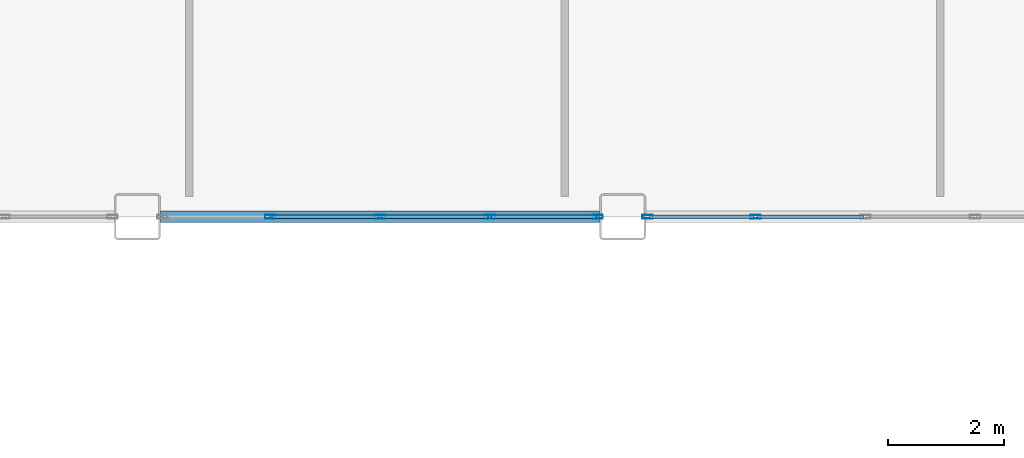
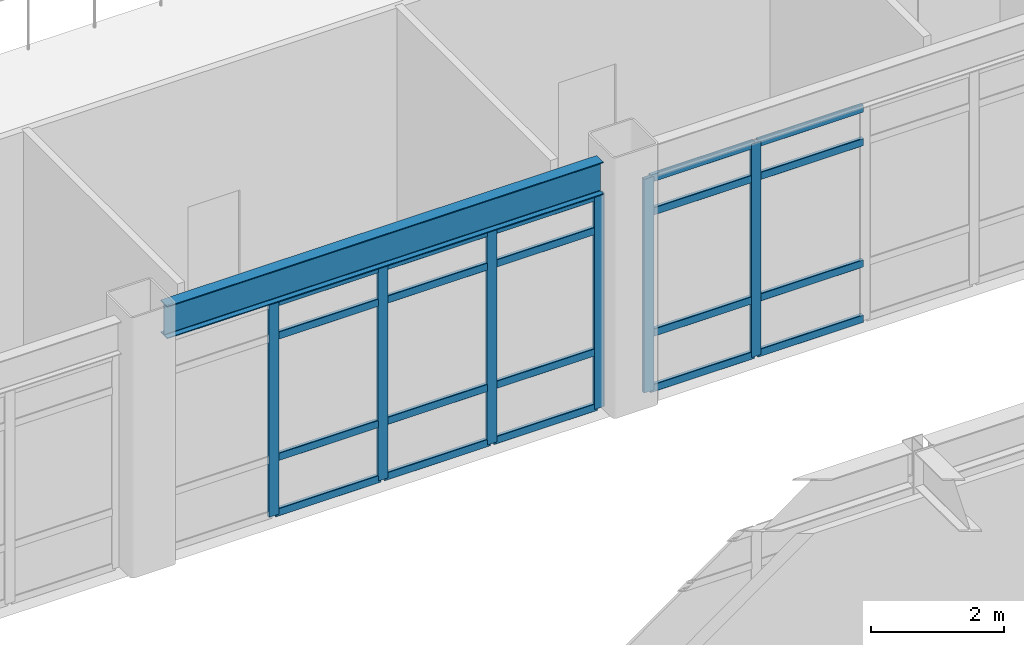
# One storey, part 33 of 154: 26 members, 1 beam, 2 elements without a shape of their own.
"""IFC4 building model written with IfcOpenShell, lengths in metres."""

from ifc_helpers import new_model, si_unit, direction, frame, origin, origin_2d, place, context, subcontext, project, spatial, hollow_rectangle, i_section, extrude, material, layer, layer_set, material_profile, profile_set, type_object, element, aggregate, save


model = new_model("IFC4")

# Units and contexts
model_context = context("Model", 3, precision=1e-05, world=origin(), true_north=direction((0.0, 1.0)))
body_context = subcontext(model_context, "Body", "Model", "MODEL_VIEW")
ifc_project = project(units=[si_unit("LENGTHUNIT", "METRE"), si_unit("AREAUNIT", "SQUARE_METRE"), si_unit("VOLUMEUNIT", "CUBIC_METRE"), si_unit("PLANEANGLEUNIT", "RADIAN"), si_unit("MASSUNIT", "GRAM", prefix="KILO")], contexts=[model_context])

# Site, building, storey
site_placement = place(None, origin())
site = spatial("IfcSite", under=ifc_project, at=site_placement, CompositionType="ELEMENT")
building_placement = place(site_placement, origin())
building = spatial("IfcBuilding", under=site, at=building_placement, Name="Kazehara Bluff Congress Hotel", CompositionType="ELEMENT")
storey_placement = place(building_placement, frame((0.0, 0.0, 10.199951171875)))
storey = spatial("IfcBuildingStorey", under=building, at=storey_placement, Name="L02", CompositionType="ELEMENT", Elevation=10.199951171875)

# Curtain wall, members
ifc_material_1 = material(Name="Anodised aluminium", Category="aluminium")
ifc_layer = layer(ifc_material_1, 0.159912109375)
ifc_layer_set = layer_set([ifc_layer], Name="Anodised aluminium")
curtain_wall_type = type_object("IfcCurtainWallType", Name="TP-CW-15", PredefinedType="NOTDEFINED", material=ifc_layer_set)
curtain_wall_1_placement = place(storey_placement, origin())
curtain_wall_1 = element("IfcCurtainWall", 1, at=curtain_wall_1_placement, inside=storey, type_object=curtain_wall_type, Name="L02 curtain wall CW-15 CW-V1-L02-Y4845-3400", PredefinedType="NOTDEFINED")
ifc_material_2 = material(Name="Anodised aluminium", Category="aluminium")
ifc_material_profile_1 = material_profile(ifc_material_2, hollow_rectangle(XDim=0.06494140625, YDim=0.179931640625, WallThickness=0.00390625, InnerFilletRadius=0.00390625, OuterFilletRadius=0.008056640625, at=origin_2d()))
ifc_profile_set_1 = profile_set([ifc_material_profile_1], Name="Anodised aluminium")
member_type_1 = type_object("IfcMemberType", Name="TP-CWM-02", PredefinedType="MULLION", material=ifc_profile_set_1)
member_1_placement = place(storey_placement, frame((35.89990234375, 48.449951171875, 0.0), z_axis=(0.0, 0.0, 1.0), x_axis=(0.0, 1.0, 0.0)))
member_1 = element("IfcMember", 2, at=member_1_placement, type_object=member_type_1, Name="CW-15 mullion 2", PredefinedType="MULLION", context=body_context, shape_type="SweptSolid", body=[
    extrude(hollow_rectangle(XDim=0.06494140625, YDim=0.179931640625, WallThickness=0.00390625, InnerFilletRadius=0.00390625, OuterFilletRadius=0.008056640625, at=origin_2d()), origin(), (0.0, 0.0, 1.0), 3.93505859375),
])
member_2_placement = place(storey_placement, frame((37.800048828125, 48.449951171875, 0.0), z_axis=(0.0, 0.0, 1.0), x_axis=(0.0, 1.0, 0.0)))
member_2 = element("IfcMember", 3, at=member_2_placement, type_object=member_type_1, Name="CW-15 mullion 3", PredefinedType="MULLION", context=body_context, shape_type="SweptSolid", body=[
    extrude(hollow_rectangle(XDim=0.06494140625, YDim=0.179931640625, WallThickness=0.00390625, InnerFilletRadius=0.00390625, OuterFilletRadius=0.008056640625, at=origin_2d()), origin(), (0.0, 0.0, 1.0), 3.93505859375),
])
member_3_placement = place(storey_placement, frame((39.699951171875, 48.449951171875, 0.0), z_axis=(0.0, 0.0, 1.0), x_axis=(0.0, 1.0, 0.0)))
member_3 = element("IfcMember", 4, at=member_3_placement, type_object=member_type_1, Name="CW-15 mullion 4", PredefinedType="MULLION", context=body_context, shape_type="SweptSolid", body=[
    extrude(hollow_rectangle(XDim=0.06494140625, YDim=0.179931640625, WallThickness=0.00390625, InnerFilletRadius=0.00390625, OuterFilletRadius=0.008056640625, at=origin_2d()), origin(), (0.0, 0.0, 1.0), 3.93505859375),
])
member_4_placement = place(storey_placement, frame((41.5673828125, 48.449951171875, 0.0), z_axis=(0.0, 0.0, 1.0), x_axis=(0.0, 1.0, 0.0)))
member_4 = element("IfcMember", 5, at=member_4_placement, type_object=member_type_1, Name="CW-15 mullion 5", PredefinedType="MULLION", context=body_context, shape_type="SweptSolid", body=[
    extrude(hollow_rectangle(XDim=0.06494140625, YDim=0.179931640625, WallThickness=0.00390625, InnerFilletRadius=0.00390625, OuterFilletRadius=0.008056640625, at=origin_2d()), origin(), (0.0, 0.0, 1.0), 3.93505859375),
])

curtain_wall_2_placement = place(storey_placement, origin())
curtain_wall_2 = element("IfcCurtainWall", 6, at=curtain_wall_2_placement, inside=storey, type_object=curtain_wall_type, Name="L02 curtain wall CW-15 CW-V1-L02-Y4845-4240", PredefinedType="NOTDEFINED")
member_5_placement = place(storey_placement, frame((42.4326171875, 48.449951171875, 0.0), z_axis=(0.0, 0.0, 1.0), x_axis=(0.0, 1.0, 0.0)))
member_5 = element("IfcMember", 7, at=member_5_placement, type_object=member_type_1, Name="CW-15 mullion 1", PredefinedType="MULLION", context=body_context, shape_type="SweptSolid", body=[
    extrude(hollow_rectangle(XDim=0.06494140625, YDim=0.179931640625, WallThickness=0.00390625, InnerFilletRadius=0.00390625, OuterFilletRadius=0.008056640625, at=origin_2d()), origin(), (0.0, 0.0, 1.0), 3.93505859375),
])
member_6_placement = place(storey_placement, frame((44.300048828125, 48.449951171875, 0.0), z_axis=(0.0, 0.0, 1.0), x_axis=(0.0, 1.0, 0.0)))
member_6 = element("IfcMember", 8, at=member_6_placement, type_object=member_type_1, Name="CW-15 mullion 2", PredefinedType="MULLION", context=body_context, shape_type="SweptSolid", body=[
    extrude(hollow_rectangle(XDim=0.06494140625, YDim=0.179931640625, WallThickness=0.00390625, InnerFilletRadius=0.00390625, OuterFilletRadius=0.008056640625, at=origin_2d()), origin(), (0.0, 0.0, 1.0), 3.93505859375),
])

# Member
ifc_material_3 = material(Name="Anodised aluminium", Category="aluminium")
ifc_material_profile_2 = material_profile(ifc_material_3, hollow_rectangle(XDim=0.06494140625, YDim=0.139892578125, WallThickness=0.00390625, InnerFilletRadius=0.00390625, OuterFilletRadius=0.008056640625, at=origin_2d()))
ifc_profile_set_2 = profile_set([ifc_material_profile_2], Name="Anodised aluminium")
member_type_2 = type_object("IfcMemberType", Name="TP-CWT-02", PredefinedType="USERDEFINED", material=ifc_profile_set_2)
member_7_placement = place(storey_placement, frame((35.9326171875, 48.449951171875, 0.032470703125), z_axis=(1.0, 0.0, 0.0), x_axis=(0.0, 1.0, 0.0)))
member_7 = element("IfcMember", 9, at=member_7_placement, type_object=member_type_2, Name="CW-15 transom 2.1", ObjectType="TRANSOM", PredefinedType="USERDEFINED", context=body_context, shape_type="SweptSolid", body=[
    extrude(hollow_rectangle(XDim=0.06494140625, YDim=0.139892578125, WallThickness=0.00390625, InnerFilletRadius=0.00390625, OuterFilletRadius=0.008056640625, at=origin_2d()), origin(), (0.0, 0.0, 1.0), 1.8349609375),
])

member_8_placement = place(storey_placement, frame((35.9326171875, 48.449951171875, 1.050048828125), z_axis=(1.0, 0.0, 0.0), x_axis=(0.0, 1.0, 0.0)))
member_8 = element("IfcMember", 10, at=member_8_placement, type_object=member_type_2, Name="CW-15 transom 2.2", ObjectType="TRANSOM", PredefinedType="USERDEFINED", context=body_context, shape_type="SweptSolid", body=[
    extrude(hollow_rectangle(XDim=0.06494140625, YDim=0.139892578125, WallThickness=0.00390625, InnerFilletRadius=0.00390625, OuterFilletRadius=0.008056640625, at=origin_2d()), origin(), (0.0, 0.0, 1.0), 1.8349609375),
])

member_9_placement = place(storey_placement, frame((35.9326171875, 48.449951171875, 3.28515625), z_axis=(1.0, 0.0, 0.0), x_axis=(0.0, 1.0, 0.0)))
member_9 = element("IfcMember", 11, at=member_9_placement, type_object=member_type_2, Name="CW-15 transom 2.3", ObjectType="TRANSOM", PredefinedType="USERDEFINED", context=body_context, shape_type="SweptSolid", body=[
    extrude(hollow_rectangle(XDim=0.06494140625, YDim=0.139892578125, WallThickness=0.00390625, InnerFilletRadius=0.00390625, OuterFilletRadius=0.008056640625, at=origin_2d()), origin(), (0.0, 0.0, 1.0), 1.8349609375),
])

member_10_placement = place(storey_placement, frame((35.9326171875, 48.449951171875, 3.902587890625), z_axis=(1.0, 0.0, 0.0), x_axis=(0.0, 1.0, 0.0)))
member_10 = element("IfcMember", 12, at=member_10_placement, type_object=member_type_2, Name="CW-15 transom 2.4", ObjectType="TRANSOM", PredefinedType="USERDEFINED", context=body_context, shape_type="SweptSolid", body=[
    extrude(hollow_rectangle(XDim=0.06494140625, YDim=0.139892578125, WallThickness=0.00390625, InnerFilletRadius=0.00390625, OuterFilletRadius=0.008056640625, at=origin_2d()), origin(), (0.0, 0.0, 1.0), 1.8349609375),
])

member_11_placement = place(storey_placement, frame((37.83251953125, 48.449951171875, 0.032470703125), z_axis=(1.0, 0.0, 0.0), x_axis=(0.0, 1.0, 0.0)))
member_11 = element("IfcMember", 13, at=member_11_placement, type_object=member_type_2, Name="CW-15 transom 3.1", ObjectType="TRANSOM", PredefinedType="USERDEFINED", context=body_context, shape_type="SweptSolid", body=[
    extrude(hollow_rectangle(XDim=0.06494140625, YDim=0.139892578125, WallThickness=0.00390625, InnerFilletRadius=0.00390625, OuterFilletRadius=0.008056640625, at=origin_2d()), origin(), (0.0, 0.0, 1.0), 1.8349609375),
])

member_12_placement = place(storey_placement, frame((37.83251953125, 48.449951171875, 1.050048828125), z_axis=(1.0, 0.0, 0.0), x_axis=(0.0, 1.0, 0.0)))
member_12 = element("IfcMember", 14, at=member_12_placement, type_object=member_type_2, Name="CW-15 transom 3.2", ObjectType="TRANSOM", PredefinedType="USERDEFINED", context=body_context, shape_type="SweptSolid", body=[
    extrude(hollow_rectangle(XDim=0.06494140625, YDim=0.139892578125, WallThickness=0.00390625, InnerFilletRadius=0.00390625, OuterFilletRadius=0.008056640625, at=origin_2d()), origin(), (0.0, 0.0, 1.0), 1.8349609375),
])

member_13_placement = place(storey_placement, frame((37.83251953125, 48.449951171875, 3.28515625), z_axis=(1.0, 0.0, 0.0), x_axis=(0.0, 1.0, 0.0)))
member_13 = element("IfcMember", 15, at=member_13_placement, type_object=member_type_2, Name="CW-15 transom 3.3", ObjectType="TRANSOM", PredefinedType="USERDEFINED", context=body_context, shape_type="SweptSolid", body=[
    extrude(hollow_rectangle(XDim=0.06494140625, YDim=0.139892578125, WallThickness=0.00390625, InnerFilletRadius=0.00390625, OuterFilletRadius=0.008056640625, at=origin_2d()), origin(), (0.0, 0.0, 1.0), 1.8349609375),
])

member_14_placement = place(storey_placement, frame((37.83251953125, 48.449951171875, 3.902587890625), z_axis=(1.0, 0.0, 0.0), x_axis=(0.0, 1.0, 0.0)))
member_14 = element("IfcMember", 16, at=member_14_placement, type_object=member_type_2, Name="CW-15 transom 3.4", ObjectType="TRANSOM", PredefinedType="USERDEFINED", context=body_context, shape_type="SweptSolid", body=[
    extrude(hollow_rectangle(XDim=0.06494140625, YDim=0.139892578125, WallThickness=0.00390625, InnerFilletRadius=0.00390625, OuterFilletRadius=0.008056640625, at=origin_2d()), origin(), (0.0, 0.0, 1.0), 1.8349609375),
])

member_15_placement = place(storey_placement, frame((39.732421875, 48.449951171875, 0.032470703125), z_axis=(1.0, 0.0, 0.0), x_axis=(0.0, 1.0, 0.0)))
member_15 = element("IfcMember", 17, at=member_15_placement, type_object=member_type_2, Name="CW-15 transom 4.1", ObjectType="TRANSOM", PredefinedType="USERDEFINED", context=body_context, shape_type="SweptSolid", body=[
    extrude(hollow_rectangle(XDim=0.06494140625, YDim=0.139892578125, WallThickness=0.00390625, InnerFilletRadius=0.00390625, OuterFilletRadius=0.008056640625, at=origin_2d()), origin(), (0.0, 0.0, 1.0), 1.802490234375),
])

member_16_placement = place(storey_placement, frame((39.732421875, 48.449951171875, 1.050048828125), z_axis=(1.0, 0.0, 0.0), x_axis=(0.0, 1.0, 0.0)))
member_16 = element("IfcMember", 18, at=member_16_placement, type_object=member_type_2, Name="CW-15 transom 4.2", ObjectType="TRANSOM", PredefinedType="USERDEFINED", context=body_context, shape_type="SweptSolid", body=[
    extrude(hollow_rectangle(XDim=0.06494140625, YDim=0.139892578125, WallThickness=0.00390625, InnerFilletRadius=0.00390625, OuterFilletRadius=0.008056640625, at=origin_2d()), origin(), (0.0, 0.0, 1.0), 1.802490234375),
])

member_17_placement = place(storey_placement, frame((39.732421875, 48.449951171875, 3.28515625), z_axis=(1.0, 0.0, 0.0), x_axis=(0.0, 1.0, 0.0)))
member_17 = element("IfcMember", 19, at=member_17_placement, type_object=member_type_2, Name="CW-15 transom 4.3", ObjectType="TRANSOM", PredefinedType="USERDEFINED", context=body_context, shape_type="SweptSolid", body=[
    extrude(hollow_rectangle(XDim=0.06494140625, YDim=0.139892578125, WallThickness=0.00390625, InnerFilletRadius=0.00390625, OuterFilletRadius=0.008056640625, at=origin_2d()), origin(), (0.0, 0.0, 1.0), 1.802490234375),
])

member_18_placement = place(storey_placement, frame((39.732421875, 48.449951171875, 3.902587890625), z_axis=(1.0, 0.0, 0.0), x_axis=(0.0, 1.0, 0.0)))
member_18 = element("IfcMember", 20, at=member_18_placement, type_object=member_type_2, Name="CW-15 transom 4.4", ObjectType="TRANSOM", PredefinedType="USERDEFINED", context=body_context, shape_type="SweptSolid", body=[
    extrude(hollow_rectangle(XDim=0.06494140625, YDim=0.139892578125, WallThickness=0.00390625, InnerFilletRadius=0.00390625, OuterFilletRadius=0.008056640625, at=origin_2d()), origin(), (0.0, 0.0, 1.0), 1.802490234375),
])

aggregate(curtain_wall_1, [member_1, member_2, member_3, member_4, member_7, member_8, member_9, member_10, member_11, member_12, member_13, member_14, member_15, member_16, member_17, member_18])

member_19_placement = place(storey_placement, frame((42.465087890625, 48.449951171875, 0.032470703125), z_axis=(1.0, 0.0, 0.0), x_axis=(0.0, 1.0, 0.0)))
member_19 = element("IfcMember", 21, at=member_19_placement, type_object=member_type_2, Name="CW-15 transom 1.1", ObjectType="TRANSOM", PredefinedType="USERDEFINED", context=body_context, shape_type="SweptSolid", body=[
    extrude(hollow_rectangle(XDim=0.06494140625, YDim=0.139892578125, WallThickness=0.00390625, InnerFilletRadius=0.00390625, OuterFilletRadius=0.008056640625, at=origin_2d()), origin(), (0.0, 0.0, 1.0), 1.802490234375),
])

member_20_placement = place(storey_placement, frame((42.465087890625, 48.449951171875, 1.050048828125), z_axis=(1.0, 0.0, 0.0), x_axis=(0.0, 1.0, 0.0)))
member_20 = element("IfcMember", 22, at=member_20_placement, type_object=member_type_2, Name="CW-15 transom 1.2", ObjectType="TRANSOM", PredefinedType="USERDEFINED", context=body_context, shape_type="SweptSolid", body=[
    extrude(hollow_rectangle(XDim=0.06494140625, YDim=0.139892578125, WallThickness=0.00390625, InnerFilletRadius=0.00390625, OuterFilletRadius=0.008056640625, at=origin_2d()), origin(), (0.0, 0.0, 1.0), 1.802490234375),
])

member_21_placement = place(storey_placement, frame((42.465087890625, 48.449951171875, 3.28515625), z_axis=(1.0, 0.0, 0.0), x_axis=(0.0, 1.0, 0.0)))
member_21 = element("IfcMember", 23, at=member_21_placement, type_object=member_type_2, Name="CW-15 transom 1.3", ObjectType="TRANSOM", PredefinedType="USERDEFINED", context=body_context, shape_type="SweptSolid", body=[
    extrude(hollow_rectangle(XDim=0.06494140625, YDim=0.139892578125, WallThickness=0.00390625, InnerFilletRadius=0.00390625, OuterFilletRadius=0.008056640625, at=origin_2d()), origin(), (0.0, 0.0, 1.0), 1.802490234375),
])

member_22_placement = place(storey_placement, frame((42.465087890625, 48.449951171875, 3.902587890625), z_axis=(1.0, 0.0, 0.0), x_axis=(0.0, 1.0, 0.0)))
member_22 = element("IfcMember", 24, at=member_22_placement, type_object=member_type_2, Name="CW-15 transom 1.4", ObjectType="TRANSOM", PredefinedType="USERDEFINED", context=body_context, shape_type="SweptSolid", body=[
    extrude(hollow_rectangle(XDim=0.06494140625, YDim=0.139892578125, WallThickness=0.00390625, InnerFilletRadius=0.00390625, OuterFilletRadius=0.008056640625, at=origin_2d()), origin(), (0.0, 0.0, 1.0), 1.802490234375),
])

member_23_placement = place(storey_placement, frame((44.33251953125, 48.449951171875, 0.032470703125), z_axis=(1.0, 0.0, 0.0), x_axis=(0.0, 1.0, 0.0)))
member_23 = element("IfcMember", 25, at=member_23_placement, type_object=member_type_2, Name="CW-15 transom 2.1", ObjectType="TRANSOM", PredefinedType="USERDEFINED", context=body_context, shape_type="SweptSolid", body=[
    extrude(hollow_rectangle(XDim=0.06494140625, YDim=0.139892578125, WallThickness=0.00390625, InnerFilletRadius=0.00390625, OuterFilletRadius=0.008056640625, at=origin_2d()), origin(), (0.0, 0.0, 1.0), 1.8349609375),
])

member_24_placement = place(storey_placement, frame((44.33251953125, 48.449951171875, 1.050048828125), z_axis=(1.0, 0.0, 0.0), x_axis=(0.0, 1.0, 0.0)))
member_24 = element("IfcMember", 26, at=member_24_placement, type_object=member_type_2, Name="CW-15 transom 2.2", ObjectType="TRANSOM", PredefinedType="USERDEFINED", context=body_context, shape_type="SweptSolid", body=[
    extrude(hollow_rectangle(XDim=0.06494140625, YDim=0.139892578125, WallThickness=0.00390625, InnerFilletRadius=0.00390625, OuterFilletRadius=0.008056640625, at=origin_2d()), origin(), (0.0, 0.0, 1.0), 1.8349609375),
])

member_25_placement = place(storey_placement, frame((44.33251953125, 48.449951171875, 3.28515625), z_axis=(1.0, 0.0, 0.0), x_axis=(0.0, 1.0, 0.0)))
member_25 = element("IfcMember", 27, at=member_25_placement, type_object=member_type_2, Name="CW-15 transom 2.3", ObjectType="TRANSOM", PredefinedType="USERDEFINED", context=body_context, shape_type="SweptSolid", body=[
    extrude(hollow_rectangle(XDim=0.06494140625, YDim=0.139892578125, WallThickness=0.00390625, InnerFilletRadius=0.00390625, OuterFilletRadius=0.008056640625, at=origin_2d()), origin(), (0.0, 0.0, 1.0), 1.8349609375),
])

member_26_placement = place(storey_placement, frame((44.33251953125, 48.449951171875, 3.902587890625), z_axis=(1.0, 0.0, 0.0), x_axis=(0.0, 1.0, 0.0)))
member_26 = element("IfcMember", 28, at=member_26_placement, type_object=member_type_2, Name="CW-15 transom 2.4", ObjectType="TRANSOM", PredefinedType="USERDEFINED", context=body_context, shape_type="SweptSolid", body=[
    extrude(hollow_rectangle(XDim=0.06494140625, YDim=0.139892578125, WallThickness=0.00390625, InnerFilletRadius=0.00390625, OuterFilletRadius=0.008056640625, at=origin_2d()), origin(), (0.0, 0.0, 1.0), 1.8349609375),
])

aggregate(curtain_wall_2, [member_5, member_6, member_19, member_20, member_21, member_22, member_23, member_24, member_25, member_26])

# Beam
ifc_material_4 = material(Name="Steel SN490B", Category="steel")
ifc_material_profile_3 = material_profile(ifc_material_4, i_section(OverallWidth=0.199951171875, OverallDepth=0.60009765625, WebThickness=0.010986328125, FlangeThickness=0.01708984375, FilletRadius=0.012939453125, at=origin_2d()))
ifc_profile_set_3 = profile_set([ifc_material_profile_3], Name="Steel SN490B")
beam_type = type_object("IfcBeamType", Name="TP-SP-02", PredefinedType="SPANDREL", material=ifc_profile_set_3)
beam_placement = place(storey_placement, frame((34.0, 48.449951171875, 4.260009765625), z_axis=(1.0, 0.0, 0.0), x_axis=(0.0, 1.0, 0.0)))
element("IfcBeam", 29, at=beam_placement, inside=storey, type_object=beam_type, Name="L02 girder SP-02 28", PredefinedType="SPANDREL", context=body_context, shape_type="SweptSolid", body=[
    extrude(i_section(OverallWidth=0.199951171875, OverallDepth=0.60009765625, WebThickness=0.010986328125, FlangeThickness=0.01708984375, FilletRadius=0.012939453125, at=origin_2d()), origin(), (0.0, 0.0, 1.0), 7.60009765625),
])

save(model, "model.ifc")
